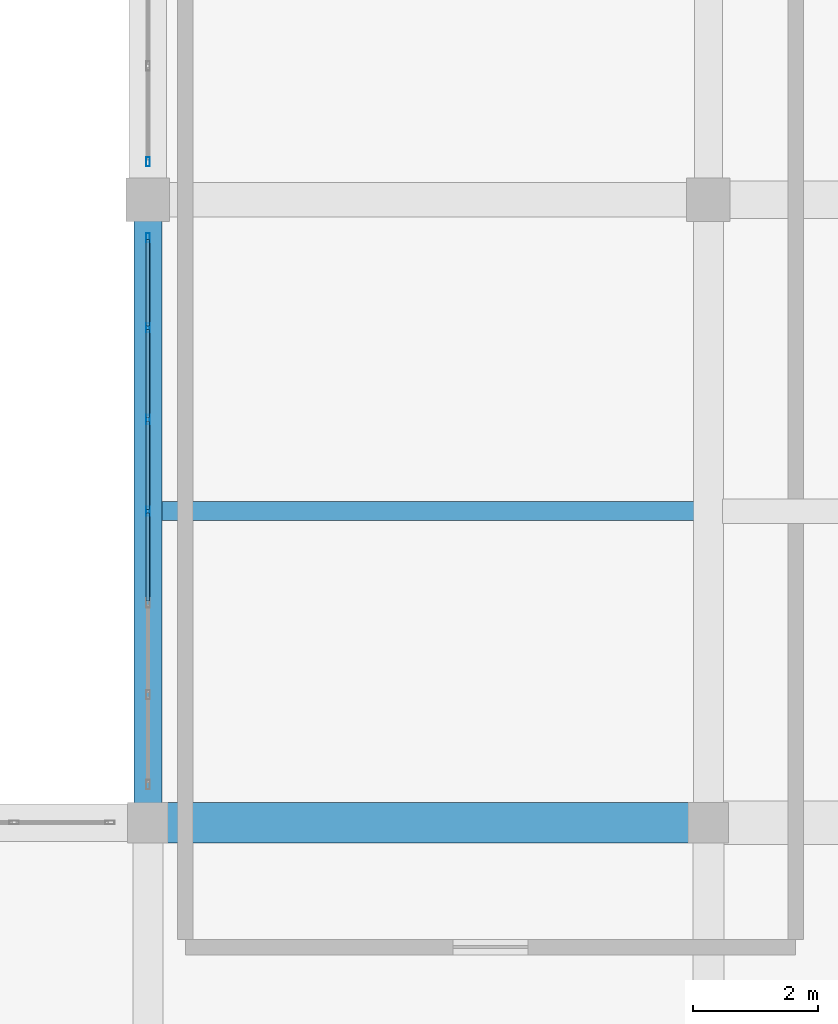
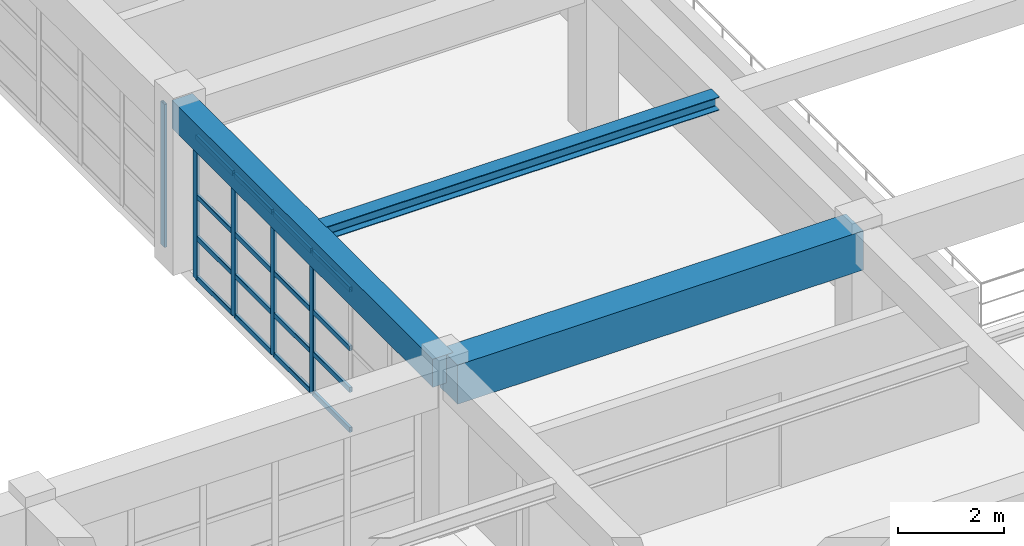
# One storey, part 57 of 130: 21 members, 3 beams, 2 elements without a shape of their own.
"""IFC4 building model written with IfcOpenShell, lengths in metres."""

from ifc_helpers import new_model, si_unit, direction, frame, origin, origin_2d, place, context, subcontext, project, spatial, rectangle, hollow_rectangle, i_section, extrude, material, material_profile, profile_set, type_object, element, aggregate, save


model = new_model("IFC4")

# Units and contexts
model_context = context("Model", 3, precision=1e-05, world=origin(), true_north=direction((0.0, 1.0)))
body_context = subcontext(model_context, "Body", "Model", "MODEL_VIEW")
ifc_project = project(units=[si_unit("LENGTHUNIT", "METRE"), si_unit("AREAUNIT", "SQUARE_METRE"), si_unit("VOLUMEUNIT", "CUBIC_METRE"), si_unit("PLANEANGLEUNIT", "RADIAN"), si_unit("MASSUNIT", "GRAM", prefix="KILO")], contexts=[model_context])

# Site, building, storey
site_placement = place(None, origin())
site = spatial("IfcSite", under=ifc_project, at=site_placement, CompositionType="ELEMENT")
building_placement = place(site_placement, origin())
building = spatial("IfcBuilding", under=site, at=building_placement, Name="Miravela Opera House", CompositionType="ELEMENT")
storey_placement = place(building_placement, frame((0.0, 0.0, 9.52001953125)))
storey = spatial("IfcBuildingStorey", under=building, at=storey_placement, Name="L02", CompositionType="ELEMENT", Elevation=9.52001953125)

# Curtain wall, members
ifc_material_1 = material(Name="Anodised architectural bronze aluminium 6063-T6", Category="aluminium")
curtain_wall_type = type_object("IfcCurtainWallType", Name="ARC-CW-05", PredefinedType="NOTDEFINED", material=ifc_material_1)
curtain_wall_1_placement = place(storey_placement, origin())
curtain_wall_1 = element("IfcCurtainWall", 1, at=curtain_wall_1_placement, inside=storey, type_object=curtain_wall_type, Name="Courtyard Arcade Curtain Wall CW-L02-099", PredefinedType="NOTDEFINED")
ifc_material_profile_1 = material_profile(ifc_material_1, hollow_rectangle(XDim=0.06005859375, YDim=0.14990234375, WallThickness=0.00390625, InnerFilletRadius=0.001953125, OuterFilletRadius=0.00390625, at=origin_2d()), Name="CWM-60X150")
ifc_profile_set_1 = profile_set([ifc_material_profile_1])
member_type_1 = type_object("IfcMemberType", Name="ARC-CWM-150", PredefinedType="MULLION", material=ifc_profile_set_1)
member_1_placement = place(storey_placement, frame((63.0, 89.0, 0.0), z_axis=(0.0, 0.0, 1.0), x_axis=(-1.0, 0.0, 0.0)))
member_1 = element("IfcMember", 2, at=member_1_placement, type_object=member_type_1, Name="CW-05 mullion 4", PredefinedType="MULLION", context=body_context, shape_type="SweptSolid", body=[
    extrude(hollow_rectangle(XDim=0.06005859375, YDim=0.14990234375, WallThickness=0.00390625, InnerFilletRadius=0.001953125, OuterFilletRadius=0.00390625, at=origin_2d()), origin(), (0.0, 0.0, 1.0), 3.2900390625),
])
member_2_placement = place(storey_placement, frame((63.0, 90.473388671875, 0.0), z_axis=(0.0, 0.0, 1.0), x_axis=(-1.0, 0.0, 0.0)))
member_2 = element("IfcMember", 3, at=member_2_placement, type_object=member_type_1, Name="CW-05 mullion 5", PredefinedType="MULLION", context=body_context, shape_type="SweptSolid", body=[
    extrude(hollow_rectangle(XDim=0.06005859375, YDim=0.14990234375, WallThickness=0.00390625, InnerFilletRadius=0.001953125, OuterFilletRadius=0.00390625, at=origin_2d()), origin(), (0.0, 0.0, 1.0), 3.2900390625),
])
member_3_placement = place(storey_placement, frame((63.0, 91.94677734375, 0.0), z_axis=(0.0, 0.0, 1.0), x_axis=(-1.0, 0.0, 0.0)))
member_3 = element("IfcMember", 4, at=member_3_placement, type_object=member_type_1, Name="CW-05 mullion 6", PredefinedType="MULLION", context=body_context, shape_type="SweptSolid", body=[
    extrude(hollow_rectangle(XDim=0.06005859375, YDim=0.14990234375, WallThickness=0.00390625, InnerFilletRadius=0.001953125, OuterFilletRadius=0.00390625, at=origin_2d()), origin(), (0.0, 0.0, 1.0), 3.2900390625),
])
member_4_placement = place(storey_placement, frame((63.0, 93.389892578125, 0.0), z_axis=(0.0, 0.0, 1.0), x_axis=(-1.0, 0.0, 0.0)))
member_4 = element("IfcMember", 5, at=member_4_placement, type_object=member_type_1, Name="CW-05 mullion 7", PredefinedType="MULLION", context=body_context, shape_type="SweptSolid", body=[
    extrude(hollow_rectangle(XDim=0.06005859375, YDim=0.14990234375, WallThickness=0.00390625, InnerFilletRadius=0.001953125, OuterFilletRadius=0.00390625, at=origin_2d()), origin(), (0.0, 0.0, 1.0), 3.2900390625),
])

# Curtain wall, member
curtain_wall_2_placement = place(storey_placement, origin())
curtain_wall_2 = element("IfcCurtainWall", 6, at=curtain_wall_2_placement, inside=storey, type_object=curtain_wall_type, Name="Courtyard Arcade Curtain Wall CW-L02-100", PredefinedType="NOTDEFINED")
member_5_placement = place(storey_placement, frame((63.0, 94.610107421875, 0.0), z_axis=(0.0, 0.0, 1.0), x_axis=(-1.0, 0.0, 0.0)))
member_5 = element("IfcMember", 7, at=member_5_placement, type_object=member_type_1, Name="CW-05 mullion 1", PredefinedType="MULLION", context=body_context, shape_type="SweptSolid", body=[
    extrude(hollow_rectangle(XDim=0.06005859375, YDim=0.14990234375, WallThickness=0.00390625, InnerFilletRadius=0.001953125, OuterFilletRadius=0.00390625, at=origin_2d()), origin(), (0.0, 0.0, 1.0), 3.2900390625),
])
aggregate(curtain_wall_2, [member_5])

# Member
ifc_material_profile_2 = material_profile(ifc_material_1, hollow_rectangle(XDim=0.06005859375, YDim=0.114990234375, WallThickness=0.00390625, InnerFilletRadius=0.001953125, OuterFilletRadius=0.00390625, at=origin_2d()), Name="CWT-60X115")
ifc_profile_set_2 = profile_set([ifc_material_profile_2])
member_type_2 = type_object("IfcMemberType", Name="ARC-CWT-115", PredefinedType="USERDEFINED", material=ifc_profile_set_2)
member_6_placement = place(storey_placement, frame((63.0, 87.556640625, 0.030029296875), z_axis=(0.0, 1.0, 0.0), x_axis=(-1.0, 0.0, 0.0)))
member_6 = element("IfcMember", 8, at=member_6_placement, type_object=member_type_2, Name="CW-05 transom 3.1", ObjectType="TRANSOM", PredefinedType="USERDEFINED", context=body_context, shape_type="SweptSolid", body=[
    extrude(hollow_rectangle(XDim=0.06005859375, YDim=0.114990234375, WallThickness=0.00390625, InnerFilletRadius=0.001953125, OuterFilletRadius=0.00390625, at=origin_2d()), origin(), (0.0, 0.0, 1.0), 1.413330078125),
])

member_7_placement = place(storey_placement, frame((63.0, 87.556640625, 0.949951171875), z_axis=(0.0, 1.0, 0.0), x_axis=(-1.0, 0.0, 0.0)))
member_7 = element("IfcMember", 9, at=member_7_placement, type_object=member_type_2, Name="CW-05 transom 3.2", ObjectType="TRANSOM", PredefinedType="USERDEFINED", context=body_context, shape_type="SweptSolid", body=[
    extrude(hollow_rectangle(XDim=0.06005859375, YDim=0.114990234375, WallThickness=0.00390625, InnerFilletRadius=0.001953125, OuterFilletRadius=0.00390625, at=origin_2d()), origin(), (0.0, 0.0, 1.0), 1.413330078125),
])

member_8_placement = place(storey_placement, frame((63.0, 87.556640625, 1.908203125), z_axis=(0.0, 1.0, 0.0), x_axis=(-1.0, 0.0, 0.0)))
member_8 = element("IfcMember", 10, at=member_8_placement, type_object=member_type_2, Name="CW-05 transom 3.3", ObjectType="TRANSOM", PredefinedType="USERDEFINED", context=body_context, shape_type="SweptSolid", body=[
    extrude(hollow_rectangle(XDim=0.06005859375, YDim=0.114990234375, WallThickness=0.00390625, InnerFilletRadius=0.001953125, OuterFilletRadius=0.00390625, at=origin_2d()), origin(), (0.0, 0.0, 1.0), 1.413330078125),
])

member_9_placement = place(storey_placement, frame((63.0, 87.556640625, 3.260009765625), z_axis=(0.0, 1.0, 0.0), x_axis=(-1.0, 0.0, 0.0)))
member_9 = element("IfcMember", 11, at=member_9_placement, type_object=member_type_2, Name="CW-05 transom 3.4", ObjectType="TRANSOM", PredefinedType="USERDEFINED", context=body_context, shape_type="SweptSolid", body=[
    extrude(hollow_rectangle(XDim=0.06005859375, YDim=0.114990234375, WallThickness=0.00390625, InnerFilletRadius=0.001953125, OuterFilletRadius=0.00390625, at=origin_2d()), origin(), (0.0, 0.0, 1.0), 1.413330078125),
])

member_10_placement = place(storey_placement, frame((63.0, 89.030029296875, 0.030029296875), z_axis=(0.0, 1.0, 0.0), x_axis=(-1.0, 0.0, 0.0)))
member_10 = element("IfcMember", 12, at=member_10_placement, type_object=member_type_2, Name="CW-05 transom 4.1", ObjectType="TRANSOM", PredefinedType="USERDEFINED", context=body_context, shape_type="SweptSolid", body=[
    extrude(hollow_rectangle(XDim=0.06005859375, YDim=0.114990234375, WallThickness=0.00390625, InnerFilletRadius=0.001953125, OuterFilletRadius=0.00390625, at=origin_2d()), origin(), (0.0, 0.0, 1.0), 1.413330078125),
])

member_11_placement = place(storey_placement, frame((63.0, 89.030029296875, 0.949951171875), z_axis=(0.0, 1.0, 0.0), x_axis=(-1.0, 0.0, 0.0)))
member_11 = element("IfcMember", 13, at=member_11_placement, type_object=member_type_2, Name="CW-05 transom 4.2", ObjectType="TRANSOM", PredefinedType="USERDEFINED", context=body_context, shape_type="SweptSolid", body=[
    extrude(hollow_rectangle(XDim=0.06005859375, YDim=0.114990234375, WallThickness=0.00390625, InnerFilletRadius=0.001953125, OuterFilletRadius=0.00390625, at=origin_2d()), origin(), (0.0, 0.0, 1.0), 1.413330078125),
])

member_12_placement = place(storey_placement, frame((63.0, 89.030029296875, 1.908203125), z_axis=(0.0, 1.0, 0.0), x_axis=(-1.0, 0.0, 0.0)))
member_12 = element("IfcMember", 14, at=member_12_placement, type_object=member_type_2, Name="CW-05 transom 4.3", ObjectType="TRANSOM", PredefinedType="USERDEFINED", context=body_context, shape_type="SweptSolid", body=[
    extrude(hollow_rectangle(XDim=0.06005859375, YDim=0.114990234375, WallThickness=0.00390625, InnerFilletRadius=0.001953125, OuterFilletRadius=0.00390625, at=origin_2d()), origin(), (0.0, 0.0, 1.0), 1.413330078125),
])

member_13_placement = place(storey_placement, frame((63.0, 89.030029296875, 3.260009765625), z_axis=(0.0, 1.0, 0.0), x_axis=(-1.0, 0.0, 0.0)))
member_13 = element("IfcMember", 15, at=member_13_placement, type_object=member_type_2, Name="CW-05 transom 4.4", ObjectType="TRANSOM", PredefinedType="USERDEFINED", context=body_context, shape_type="SweptSolid", body=[
    extrude(hollow_rectangle(XDim=0.06005859375, YDim=0.114990234375, WallThickness=0.00390625, InnerFilletRadius=0.001953125, OuterFilletRadius=0.00390625, at=origin_2d()), origin(), (0.0, 0.0, 1.0), 1.413330078125),
])

member_14_placement = place(storey_placement, frame((63.0, 90.50341796875, 0.030029296875), z_axis=(0.0, 1.0, 0.0), x_axis=(-1.0, 0.0, 0.0)))
member_14 = element("IfcMember", 16, at=member_14_placement, type_object=member_type_2, Name="CW-05 transom 5.1", ObjectType="TRANSOM", PredefinedType="USERDEFINED", context=body_context, shape_type="SweptSolid", body=[
    extrude(hollow_rectangle(XDim=0.06005859375, YDim=0.114990234375, WallThickness=0.00390625, InnerFilletRadius=0.001953125, OuterFilletRadius=0.00390625, at=origin_2d()), origin(), (0.0, 0.0, 1.0), 1.413330078125),
])

member_15_placement = place(storey_placement, frame((63.0, 90.50341796875, 0.949951171875), z_axis=(0.0, 1.0, 0.0), x_axis=(-1.0, 0.0, 0.0)))
member_15 = element("IfcMember", 17, at=member_15_placement, type_object=member_type_2, Name="CW-05 transom 5.2", ObjectType="TRANSOM", PredefinedType="USERDEFINED", context=body_context, shape_type="SweptSolid", body=[
    extrude(hollow_rectangle(XDim=0.06005859375, YDim=0.114990234375, WallThickness=0.00390625, InnerFilletRadius=0.001953125, OuterFilletRadius=0.00390625, at=origin_2d()), origin(), (0.0, 0.0, 1.0), 1.413330078125),
])

member_16_placement = place(storey_placement, frame((63.0, 90.50341796875, 1.908203125), z_axis=(0.0, 1.0, 0.0), x_axis=(-1.0, 0.0, 0.0)))
member_16 = element("IfcMember", 18, at=member_16_placement, type_object=member_type_2, Name="CW-05 transom 5.3", ObjectType="TRANSOM", PredefinedType="USERDEFINED", context=body_context, shape_type="SweptSolid", body=[
    extrude(hollow_rectangle(XDim=0.06005859375, YDim=0.114990234375, WallThickness=0.00390625, InnerFilletRadius=0.001953125, OuterFilletRadius=0.00390625, at=origin_2d()), origin(), (0.0, 0.0, 1.0), 1.413330078125),
])

member_17_placement = place(storey_placement, frame((63.0, 90.50341796875, 3.260009765625), z_axis=(0.0, 1.0, 0.0), x_axis=(-1.0, 0.0, 0.0)))
member_17 = element("IfcMember", 19, at=member_17_placement, type_object=member_type_2, Name="CW-05 transom 5.4", ObjectType="TRANSOM", PredefinedType="USERDEFINED", context=body_context, shape_type="SweptSolid", body=[
    extrude(hollow_rectangle(XDim=0.06005859375, YDim=0.114990234375, WallThickness=0.00390625, InnerFilletRadius=0.001953125, OuterFilletRadius=0.00390625, at=origin_2d()), origin(), (0.0, 0.0, 1.0), 1.413330078125),
])

member_18_placement = place(storey_placement, frame((63.0, 91.9765625, 0.030029296875), z_axis=(0.0, 1.0, 0.0), x_axis=(-1.0, 0.0, 0.0)))
member_18 = element("IfcMember", 20, at=member_18_placement, type_object=member_type_2, Name="CW-05 transom 6.1", ObjectType="TRANSOM", PredefinedType="USERDEFINED", context=body_context, shape_type="SweptSolid", body=[
    extrude(hollow_rectangle(XDim=0.06005859375, YDim=0.114990234375, WallThickness=0.00390625, InnerFilletRadius=0.001953125, OuterFilletRadius=0.00390625, at=origin_2d()), origin(), (0.0, 0.0, 1.0), 1.383544921875),
])

member_19_placement = place(storey_placement, frame((63.0, 91.9765625, 0.949951171875), z_axis=(0.0, 1.0, 0.0), x_axis=(-1.0, 0.0, 0.0)))
member_19 = element("IfcMember", 21, at=member_19_placement, type_object=member_type_2, Name="CW-05 transom 6.2", ObjectType="TRANSOM", PredefinedType="USERDEFINED", context=body_context, shape_type="SweptSolid", body=[
    extrude(hollow_rectangle(XDim=0.06005859375, YDim=0.114990234375, WallThickness=0.00390625, InnerFilletRadius=0.001953125, OuterFilletRadius=0.00390625, at=origin_2d()), origin(), (0.0, 0.0, 1.0), 1.383544921875),
])

member_20_placement = place(storey_placement, frame((63.0, 91.9765625, 1.908203125), z_axis=(0.0, 1.0, 0.0), x_axis=(-1.0, 0.0, 0.0)))
member_20 = element("IfcMember", 22, at=member_20_placement, type_object=member_type_2, Name="CW-05 transom 6.3", ObjectType="TRANSOM", PredefinedType="USERDEFINED", context=body_context, shape_type="SweptSolid", body=[
    extrude(hollow_rectangle(XDim=0.06005859375, YDim=0.114990234375, WallThickness=0.00390625, InnerFilletRadius=0.001953125, OuterFilletRadius=0.00390625, at=origin_2d()), origin(), (0.0, 0.0, 1.0), 1.383544921875),
])

member_21_placement = place(storey_placement, frame((63.0, 91.9765625, 3.260009765625), z_axis=(0.0, 1.0, 0.0), x_axis=(-1.0, 0.0, 0.0)))
member_21 = element("IfcMember", 23, at=member_21_placement, type_object=member_type_2, Name="CW-05 transom 6.4", ObjectType="TRANSOM", PredefinedType="USERDEFINED", context=body_context, shape_type="SweptSolid", body=[
    extrude(hollow_rectangle(XDim=0.06005859375, YDim=0.114990234375, WallThickness=0.00390625, InnerFilletRadius=0.001953125, OuterFilletRadius=0.00390625, at=origin_2d()), origin(), (0.0, 0.0, 1.0), 1.383544921875),
])

aggregate(curtain_wall_1, [member_1, member_2, member_3, member_4, member_6, member_7, member_8, member_9, member_10, member_11, member_12, member_13, member_14, member_15, member_16, member_17, member_18, member_19, member_20, member_21])

# Beams
ifc_material_2 = material(Name="Concrete C35/45", Category="concrete")
ifc_material_profile_3 = material_profile(ifc_material_2, rectangle(XDim=0.449951171875, YDim=0.64990234375, at=origin_2d()), Name="RC-BM-450X650")
ifc_profile_set_3 = profile_set([ifc_material_profile_3])
beam_type_1 = type_object("IfcBeamType", Name="STR-BM-RC450X650", PredefinedType="BEAM", material=ifc_profile_set_3)
beam_1_placement = place(storey_placement, frame((63.0, 84.080078125, 3.514892578125), z_axis=(0.0, 1.0, 0.0), x_axis=(-1.0, 0.0, 0.0)))
element("IfcBeam", 24, at=beam_1_placement, inside=storey, type_object=beam_type_1, Name="Floor Girder L02 8/J-K", PredefinedType="BEAM", context=body_context, shape_type="SweptSolid", body=[
    extrude(rectangle(XDim=0.449951171875, YDim=0.64990234375, at=origin_2d()), origin(), (0.0, 0.0, 1.0), 9.83984375),
])
ifc_material_3 = material(Name="Concrete C40/50", Category="concrete")
ifc_material_profile_4 = material_profile(ifc_material_3, rectangle(XDim=0.64990234375, YDim=0.89990234375, at=origin_2d()), Name="RC-BM-650X900")
ifc_profile_set_4 = profile_set([ifc_material_profile_4])
beam_type_2 = type_object("IfcBeamType", Name="STR-BM-RC650X900", PredefinedType="BEAM", material=ifc_profile_set_4)
beam_2_placement = place(storey_placement, frame((63.080078125, 84.0, 3.389892578125), z_axis=(1.0, 0.0, 0.0), x_axis=(0.0, 1.0, 0.0)))
element("IfcBeam", 25, at=beam_2_placement, inside=storey, type_object=beam_type_2, Name="Floor Girder L02 8-9/J", PredefinedType="BEAM", context=body_context, shape_type="SweptSolid", body=[
    extrude(rectangle(XDim=0.64990234375, YDim=0.89990234375, at=origin_2d()), origin(), (0.0, 0.0, 1.0), 8.83984375),
])
ifc_material_4 = material(Name="Structural steel ASTM A992 Gr. 50", Category="steel")
ifc_material_profile_5 = material_profile(ifc_material_4, i_section(OverallWidth=0.304931640625, OverallDepth=0.30810546875, WebThickness=0.010009765625, FlangeThickness=0.015380859375, FilletRadius=0.013916015625, at=origin_2d()), Name="W310X97")
ifc_profile_set_5 = profile_set([ifc_material_profile_5])
beam_type_3 = type_object("IfcBeamType", Name="STR-BM-W310X97", PredefinedType="JOIST", material=ifc_profile_set_5)
beam_3_placement = place(storey_placement, frame((63.2099609375, 89.0, 3.68603515625), z_axis=(1.0, 0.0, 0.0), x_axis=(0.0, 1.0, 0.0)))
element("IfcBeam", 26, at=beam_3_placement, inside=storey, type_object=beam_type_3, Name="Secondary Floor Joist L02 8-9/J-K", PredefinedType="JOIST", context=body_context, shape_type="SweptSolid", body=[
    extrude(i_section(OverallWidth=0.304931640625, OverallDepth=0.30810546875, WebThickness=0.010009765625, FlangeThickness=0.015380859375, FilletRadius=0.013916015625, at=origin_2d()), origin(), (0.0, 0.0, 1.0), 8.56494140625),
])

save(model, "model.ifc")
